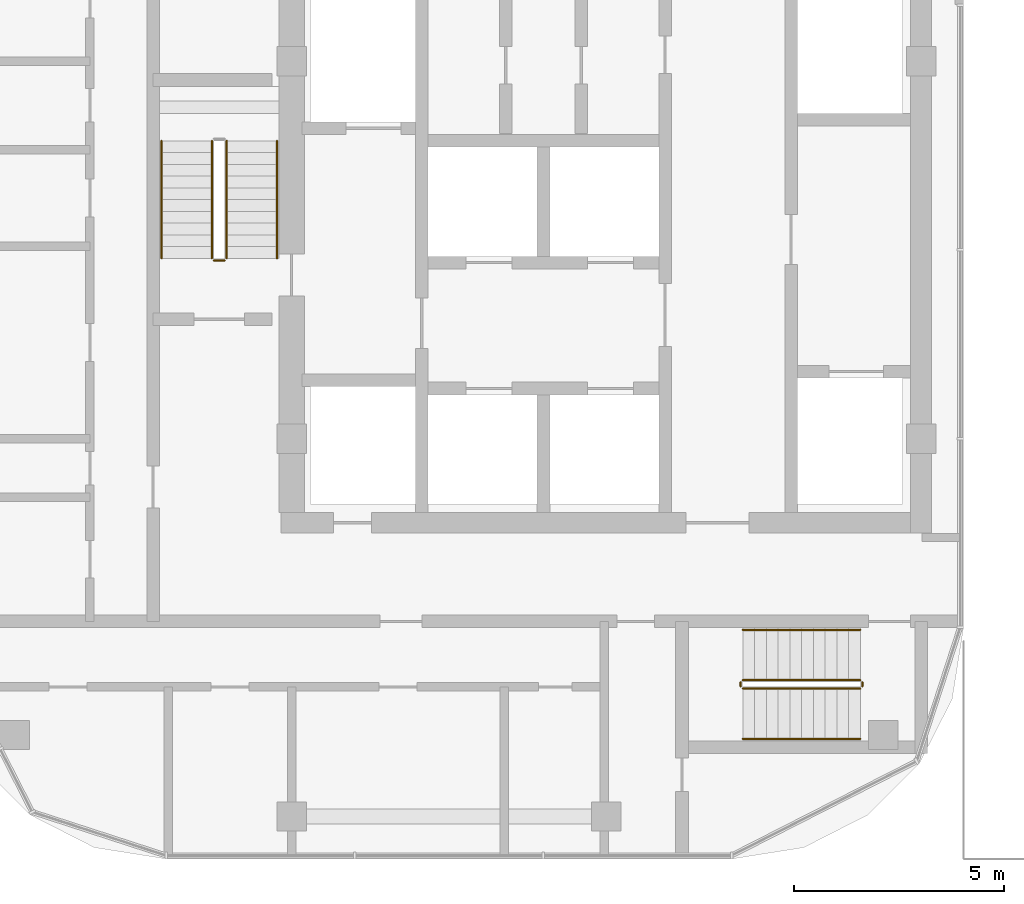
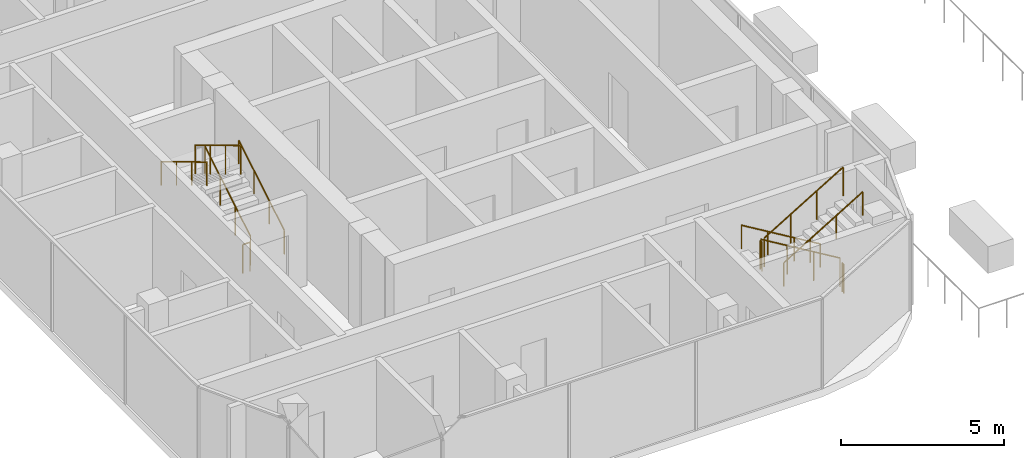
# One storey, part 34 of 35: 11 railings.
"""IFC4 building model written with IfcOpenShell, lengths in metres."""

import ifcopenshell
import ifcopenshell.guid

model = None  # the IFC model being written
_history = None  # IfcOwnerHistory: only IFC2X3 demands one
_inside = {}  # id of a spatial element -> (the spatial element, [elements in it])
_under = {}  # id of a project, library or spatial element -> (it, [spatial elements below it])
_declared = {}  # id of a project -> (the project, [libraries it declares])
_typed = {}  # id of a type object -> (the type object, [elements of that type])
_made_of = {}  # id of a material, layer set ... -> (it, [elements and type objects made of it])


def new_model(schema):
    """Start an empty IFC model of exactly this schema.

    Asked for "IFC4X3", IfcOpenShell would pick the latest addendum, in which some entities
    have other attributes; the version numbers below select the first issue.
    IFC2X3 requires an IfcOwnerHistory on every rooted entity: one is made here for all.
    """
    global model, _history
    if schema == "IFC4X3":
        model = ifcopenshell.file(schema_version=(4, 3, 0, 0))
    else:
        model = ifcopenshell.file(schema=schema)
    _inside.clear()
    _under.clear()
    _declared.clear()
    _typed.clear()
    _made_of.clear()
    _history = None
    if model.schema == "IFC2X3":
        org = make("IfcOrganization", Name="unknown")
        user = make(
            "IfcPersonAndOrganization",
            ThePerson=make("IfcPerson", FamilyName="unknown"),
            TheOrganization=org,
        )
        app = make(
            "IfcApplication",
            ApplicationDeveloper=org,
            Version="unknown",
            ApplicationFullName="unknown",
            ApplicationIdentifier="unknown",
        )
        _history = make(
            "IfcOwnerHistory",
            OwningUser=user,
            OwningApplication=app,
            ChangeAction="ADDED",
            CreationDate=0,
        )
    return model


def make(cls, **values):
    """One entity of the class cls with the attributes given. An attribute that is None is left unset."""
    return model.create_entity(
        cls, **{name: value for name, value in values.items() if value is not None}
    )


def rooted(cls, **values):
    """An entity with a GlobalId (a new one), such as an element, a storey or a relation."""
    return make(cls, GlobalId=ifcopenshell.guid.new(), OwnerHistory=_history, **values)


def si_unit(unit_type, name, prefix=None):
    """IfcSIUnit, for example si_unit("LENGTHUNIT", "METRE", prefix="MILLI")."""
    return make("IfcSIUnit", UnitType=unit_type, Prefix=prefix, Name=name)


def assignment(units):
    """IfcUnitAssignment: the units of a project."""
    return None if units is None else make("IfcUnitAssignment", Units=units)


def point(xyz):
    """IfcCartesianPoint."""
    return None if xyz is None else make("IfcCartesianPoint", Coordinates=xyz)


def direction(xyz):
    """IfcDirection."""
    return None if xyz is None else make("IfcDirection", DirectionRatios=xyz)


def frame(location, z_axis=None, x_axis=None):
    """IfcAxis2Placement3D, a coordinate frame: its origin and axes. An axis left out is left unset."""
    return make(
        "IfcAxis2Placement3D",
        Location=point(location),
        Axis=direction(z_axis),
        RefDirection=direction(x_axis),
    )


def frame_2d(location, x_axis=None):
    """IfcAxis2Placement2D, a coordinate frame in the plane: its origin and x axis."""
    return make(
        "IfcAxis2Placement2D", Location=point(location), RefDirection=direction(x_axis)
    )


def origin():
    """The frame at (0, 0, 0) with its axes left unset."""
    return frame((0.0, 0.0, 0.0))


def origin_2d():
    """The frame at (0, 0) in the plane with its x axis left unset."""
    return frame_2d((0.0, 0.0))


def place(relative_to, where):
    """IfcLocalPlacement: puts the frame where relative to a parent placement (None: the world)."""
    return make(
        "IfcLocalPlacement", PlacementRelTo=relative_to, RelativePlacement=where
    )


def context(
    kind, dimensions, precision=None, world=None, true_north=None, identifier=None
):
    """IfcGeometricRepresentationContext, for example the 3D "Model" context."""
    return make(
        "IfcGeometricRepresentationContext",
        ContextIdentifier=identifier,
        ContextType=kind,
        CoordinateSpaceDimension=dimensions,
        Precision=precision,
        WorldCoordinateSystem=world,
        TrueNorth=true_north,
    )


def subcontext(parent, identifier, kind, view, scale=None):
    """IfcGeometricRepresentationSubContext, for example "Body" below "Model"."""
    return make(
        "IfcGeometricRepresentationSubContext",
        ContextIdentifier=identifier,
        ContextType=kind,
        ParentContext=parent,
        TargetScale=scale,
        TargetView=view,
    )


def project(units=None, contexts=None):
    """IfcProject with its units and contexts."""
    return rooted(
        "IfcProject",
        Name="project",
        RepresentationContexts=contexts,
        UnitsInContext=assignment(units),
    )


def spatial(cls, under=None, at=None, **own):
    """A site, building, storey or space (cls), placed at a placement, below another one or the project."""
    s = rooted(cls, ObjectPlacement=at, **own)
    if under is not None:
        _under.setdefault(under.id(), (under, []))[1].append(s)
    return s


def profile(cls, at=None, kind="AREA", **sizes):
    """A parametric profile (cls). Its sizes go by their IFC names, for example OverallWidth=200.0."""
    return make(cls, ProfileType=kind, Position=at, **sizes)


def circle(**sizes):
    """IfcCircleProfileDef."""
    return profile("IfcCircleProfileDef", **sizes)


def extrude(swept, where, along, depth):
    """IfcExtrudedAreaSolid: the profile swept, set in the frame where, extruded along a direction by depth."""
    return make(
        "IfcExtrudedAreaSolid",
        SweptArea=swept,
        Position=where,
        ExtrudedDirection=direction(along),
        Depth=depth,
    )


def shape(context_of_items, identifier, shape_type, items):
    """IfcShapeRepresentation: the items that make up one representation, for example the "Body"."""
    return make(
        "IfcShapeRepresentation",
        ContextOfItems=context_of_items,
        RepresentationIdentifier=identifier,
        RepresentationType=shape_type,
        Items=items,
    )


def material(Name=None, Category=None):
    """IfcMaterial."""
    return make("IfcMaterial", Name=Name, Category=Category)


def made_of(thing, what):
    """Note that an element or type object is made of a material, layer set ...; save() writes the relation."""
    if what is not None:
        _made_of.setdefault(what.id(), (what, []))[1].append(thing)
    return thing


def type_object(cls, material=None, **own):
    """A type object (cls), such as IfcWallType, which elements share."""
    return made_of(rooted(cls, **own), material)


def element(
    cls,
    number,
    at=None,
    inside=None,
    cuts=None,
    type_object=None,
    material=None,
    context=None,
    identifier="Body",
    shape_type=None,
    held_by="IfcProductDefinitionShape",
    body=None,
    shapes=None,
    **own,
):
    """One element of the class cls, such as IfcWall. Its Tag is "e" and its number.

    at: its placement. inside: the storey or other place that contains it. cuts: it is an
    opening in that element (IfcRelVoidsElement). A single representation is given by context,
    identifier, shape_type and body (its items); several are given by shapes. held_by: the class
    of the entity that holds the representations. save() writes the other relations.
    """
    e = rooted(cls, Tag="e%d" % number, ObjectPlacement=at, **own)
    if body is not None:
        shapes = [shape(context, identifier, shape_type, body)]
    if shapes is not None:
        e.Representation = make(held_by, Representations=shapes)
    if inside is not None:
        _inside.setdefault(inside.id(), (inside, []))[1].append(e)
    if cuts is not None:
        rooted(
            "IfcRelVoidsElement", RelatingBuildingElement=cuts, RelatedOpeningElement=e
        )
    if type_object is not None:
        _typed.setdefault(type_object.id(), (type_object, []))[1].append(e)
    return made_of(e, material)


def aggregate(whole, parts):
    """IfcRelAggregates: a whole, such as a stair, and the parts it consists of."""
    return rooted("IfcRelAggregates", RelatingObject=whole, RelatedObjects=parts)


def save(model, path):
    """Write the relations noted so far, then the file.

    IfcRelAggregates (storeys below a building ...), IfcRelContainedInSpatialStructure (elements
    in a storey), IfcRelDefinesByType, IfcRelAssociatesMaterial and IfcRelDeclares: one each for
    every whole, place, type object, material and project.
    """
    for whole, parts in _under.values():
        aggregate(whole, parts)
    for where, things in _inside.values():
        rooted(
            "IfcRelContainedInSpatialStructure",
            RelatedElements=things,
            RelatingStructure=where,
        )
    for kind, things in _typed.values():
        rooted("IfcRelDefinesByType", RelatedObjects=things, RelatingType=kind)
    for what, things in _made_of.values():
        rooted("IfcRelAssociatesMaterial", RelatedObjects=things, RelatingMaterial=what)
    for by, libraries in _declared.values():
        rooted("IfcRelDeclares", RelatingContext=by, RelatedDefinitions=libraries)
    model.write(path)


model = new_model("IFC4")

# Units and contexts
model_context = context("Model", 3, precision=1e-05, world=origin(), true_north=direction((0.0, 1.0)))
body_context = subcontext(model_context, "Body", "Model", "MODEL_VIEW")
ifc_project = project(units=[si_unit("LENGTHUNIT", "METRE"), si_unit("AREAUNIT", "SQUARE_METRE"), si_unit("VOLUMEUNIT", "CUBIC_METRE"), si_unit("PLANEANGLEUNIT", "RADIAN"), si_unit("MASSUNIT", "GRAM", prefix="KILO")], contexts=[model_context])

# Site, building, storey
site_placement = place(None, origin())
site = spatial("IfcSite", under=ifc_project, at=site_placement, CompositionType="ELEMENT")
building_placement = place(site_placement, origin())
building = spatial("IfcBuilding", under=site, at=building_placement, Name="Ogive Portal Towers", CompositionType="ELEMENT")
storey_placement = place(building_placement, frame((0.0, 0.0, 94.5)))
storey = spatial("IfcBuildingStorey", under=building, at=storey_placement, Name="L22", CompositionType="ELEMENT", Elevation=94.5)

# Railings
ifc_material_1 = material(Name="Stainless steel balustrade", Category="steel")
railing_type_1 = type_object("IfcRailingType", Name="INT-GUARD", PredefinedType="GUARDRAIL", material=ifc_material_1)
railing_1_placement = place(storey_placement, frame((127.449951171875, 30.800048828125, 0.168212890625)))
element("IfcRailing", 1, at=railing_1_placement, inside=storey, type_object=railing_type_1, Name="L22 ST-B1 stair guard 1", PredefinedType="GUARDRAIL", context=body_context, shape_type="SweptSolid", body=[
    extrude(circle(Radius=0.02392578125, at=origin_2d()), frame((0.0, 0.0, 1.076171875), z_axis=(0.0, 0.857242210791, 0.514913383045), x_axis=(-1.0, 0.0, 0.0)), (0.0, 0.0, 1.0), 3.266357421875),
    extrude(circle(Radius=0.02099609375, at=origin_2d()), origin(), (0.0, 0.0, 1.0), 1.052001953125),
    extrude(circle(Radius=0.02099609375, at=origin_2d()), frame((0.0, 0.933349609375, 0.560546875)), (0.0, 0.0, 1.0), 1.052001953125),
    extrude(circle(Radius=0.02099609375, at=origin_2d()), frame((0.0, 1.86669921875, 1.121337890625)), (0.0, 0.0, 1.0), 1.052001953125),
    extrude(circle(Radius=0.02099609375, at=origin_2d()), frame((0.0, 2.800048828125, 1.681884765625)), (0.0, 0.0, 1.0), 1.052001953125),
])
railing_2_placement = place(storey_placement, frame((127.10009765625, 33.60009765625, 2.01806640625)))
element("IfcRailing", 2, at=railing_2_placement, inside=storey, type_object=railing_type_1, Name="L22 ST-B1 stair guard 3", PredefinedType="GUARDRAIL", context=body_context, shape_type="SweptSolid", body=[
    extrude(circle(Radius=0.02392578125, at=origin_2d()), frame((0.0, 0.0, 1.076171875), z_axis=(0.0, -0.857242210791, 0.514913383045), x_axis=(1.0, 0.0, 0.0)), (0.0, 0.0, 1.0), 3.266357421875),
    extrude(circle(Radius=0.02099609375, at=origin_2d()), origin(), (0.0, 0.0, 1.0), 1.052001953125),
    extrude(circle(Radius=0.02099609375, at=origin_2d()), frame((0.0, -0.933349609375, 0.560546875)), (0.0, 0.0, 1.0), 1.052001953125),
    extrude(circle(Radius=0.02099609375, at=origin_2d()), frame((0.0, -1.86669921875, 1.121337890625)), (0.0, 0.0, 1.0), 1.052001953125),
    extrude(circle(Radius=0.02099609375, at=origin_2d()), frame((0.0, -2.800048828125, 1.681884765625)), (0.0, 0.0, 1.0), 1.052001953125),
])
railing_3_placement = place(storey_placement, frame((127.39990234375, 30.75, 0.0)))
element("IfcRailing", 3, at=railing_3_placement, inside=storey, type_object=railing_type_1, Name="L22 ST-B1 stair guard 4", PredefinedType="GUARDRAIL", context=body_context, shape_type="SweptSolid", body=[
    extrude(circle(Radius=0.02392578125, at=origin_2d()), frame((0.0, 0.0, 1.076171875), z_axis=(-1.0, 0.0, 0.0), x_axis=(0.0, -1.0, 0.0)), (0.0, 0.0, 1.0), 0.25),
    extrude(circle(Radius=0.02099609375, at=origin_2d()), origin(), (0.0, 0.0, 1.0), 1.052001953125),
    extrude(circle(Radius=0.02099609375, at=origin_2d()), frame((-0.25, 0.0, 0.0)), (0.0, 0.0, 1.0), 1.052001953125),
])
railing_4_placement = place(storey_placement, frame((142.550048828125, 20.75, 0.168212890625)))
element("IfcRailing", 4, at=railing_4_placement, inside=storey, type_object=railing_type_1, Name="L22 ST-B2 stair guard 1", PredefinedType="GUARDRAIL", context=body_context, shape_type="SweptSolid", body=[
    extrude(circle(Radius=0.02392578125, at=origin_2d()), frame((0.0, 0.0, 1.076171875), z_axis=(-0.857242210791, 0.0, 0.514913383045), x_axis=(0.0, -1.0, 0.0)), (0.0, 0.0, 1.0), 3.266357421875),
    extrude(circle(Radius=0.02099609375, at=origin_2d()), origin(), (0.0, 0.0, 1.0), 1.052001953125),
    extrude(circle(Radius=0.02099609375, at=origin_2d()), frame((-0.933349609375, 0.0, 0.560546875)), (0.0, 0.0, 1.0), 1.052001953125),
    extrude(circle(Radius=0.02099609375, at=origin_2d()), frame((-1.86669921875, 0.0, 1.121337890625)), (0.0, 0.0, 1.0), 1.052001953125),
    extrude(circle(Radius=0.02099609375, at=origin_2d()), frame((-2.800048828125, 0.0, 1.681884765625)), (0.0, 0.0, 1.0), 1.052001953125),
])
railing_5_placement = place(storey_placement, frame((139.699951171875, 20.699951171875, 1.85009765625)))
element("IfcRailing", 5, at=railing_5_placement, inside=storey, type_object=railing_type_1, Name="L22 ST-B2 stair guard 2", PredefinedType="GUARDRAIL", context=body_context, shape_type="SweptSolid", body=[
    extrude(circle(Radius=0.02392578125, at=origin_2d()), frame((0.0, 0.0, 1.076171875), z_axis=(0.0, -1.0, 0.0), x_axis=(1.0, 0.0, 0.0)), (0.0, 0.0, 1.0), 0.099853515625),
    extrude(circle(Radius=0.02099609375, at=origin_2d()), origin(), (0.0, 0.0, 1.0), 1.052001953125),
    extrude(circle(Radius=0.02099609375, at=origin_2d()), frame((0.0, -0.099853515625, 0.0)), (0.0, 0.0, 1.0), 1.052001953125),
])
railing_6_placement = place(storey_placement, frame((139.75, 20.550048828125, 2.01806640625)))
element("IfcRailing", 6, at=railing_6_placement, inside=storey, type_object=railing_type_1, Name="L22 ST-B2 stair guard 3", PredefinedType="GUARDRAIL", context=body_context, shape_type="SweptSolid", body=[
    extrude(circle(Radius=0.02392578125, at=origin_2d()), frame((0.0, 0.0, 1.076171875), z_axis=(0.857242210791, 0.0, 0.514913383045), x_axis=(0.0, 1.0, 0.0)), (0.0, 0.0, 1.0), 3.266357421875),
    extrude(circle(Radius=0.02099609375, at=origin_2d()), origin(), (0.0, 0.0, 1.0), 1.052001953125),
    extrude(circle(Radius=0.02099609375, at=origin_2d()), frame((0.933349609375, 0.0, 0.560546875)), (0.0, 0.0, 1.0), 1.052001953125),
    extrude(circle(Radius=0.02099609375, at=origin_2d()), frame((1.86669921875, 0.0, 1.121337890625)), (0.0, 0.0, 1.0), 1.052001953125),
    extrude(circle(Radius=0.02099609375, at=origin_2d()), frame((2.800048828125, 0.0, 1.681884765625)), (0.0, 0.0, 1.0), 1.052001953125),
])
railing_7_placement = place(storey_placement, frame((142.60009765625, 20.699951171875, 0.0)))
element("IfcRailing", 7, at=railing_7_placement, inside=storey, type_object=railing_type_1, Name="L22 ST-B2 stair guard 4", PredefinedType="GUARDRAIL", context=body_context, shape_type="SweptSolid", body=[
    extrude(circle(Radius=0.02392578125, at=origin_2d()), frame((0.0, 0.0, 1.076171875), z_axis=(0.0, -1.0, 0.0), x_axis=(1.0, 0.0, 0.0)), (0.0, 0.0, 1.0), 0.099853515625),
    extrude(circle(Radius=0.02099609375, at=origin_2d()), origin(), (0.0, 0.0, 1.0), 1.052001953125),
    extrude(circle(Radius=0.02099609375, at=origin_2d()), frame((0.0, -0.099853515625, 0.0)), (0.0, 0.0, 1.0), 1.052001953125),
])
ifc_material_2 = material(Name="Stainless steel handrail", Category="steel")
railing_type_2 = type_object("IfcRailingType", Name="INT-HANDRAIL", PredefinedType="HANDRAIL", material=ifc_material_2)
railing_8_placement = place(storey_placement, frame((128.64990234375, 30.800048828125, 0.168212890625)))
element("IfcRailing", 8, at=railing_8_placement, inside=storey, type_object=railing_type_2, Name="L22 ST-B1 stair handrail 1", PredefinedType="HANDRAIL", context=body_context, shape_type="SweptSolid", body=[
    extrude(circle(Radius=0.02392578125, at=origin_2d()), frame((0.0, 0.0, 0.8759765625), z_axis=(0.0, 0.857242210791, 0.514913383045), x_axis=(-1.0, 0.0, 0.0)), (0.0, 0.0, 1.0), 3.266357421875),
    extrude(circle(Radius=0.02099609375, at=origin_2d()), origin(), (0.0, 0.0, 1.0), 0.851806640625),
    extrude(circle(Radius=0.02099609375, at=origin_2d()), frame((0.0, 0.933349609375, 0.560546875)), (0.0, 0.0, 1.0), 0.851806640625),
    extrude(circle(Radius=0.02099609375, at=origin_2d()), frame((0.0, 1.86669921875, 1.121337890625)), (0.0, 0.0, 1.0), 0.851806640625),
    extrude(circle(Radius=0.02099609375, at=origin_2d()), frame((0.0, 2.800048828125, 1.681884765625)), (0.0, 0.0, 1.0), 0.851806640625),
])
railing_9_placement = place(storey_placement, frame((125.89990234375, 33.60009765625, 2.01806640625)))
element("IfcRailing", 9, at=railing_9_placement, inside=storey, type_object=railing_type_2, Name="L22 ST-B1 stair handrail 2", PredefinedType="HANDRAIL", context=body_context, shape_type="SweptSolid", body=[
    extrude(circle(Radius=0.02392578125, at=origin_2d()), frame((0.0, 0.0, 0.8759765625), z_axis=(0.0, -0.857242210791, 0.514913383045), x_axis=(1.0, 0.0, 0.0)), (0.0, 0.0, 1.0), 3.266357421875),
    extrude(circle(Radius=0.02099609375, at=origin_2d()), origin(), (0.0, 0.0, 1.0), 0.851806640625),
    extrude(circle(Radius=0.02099609375, at=origin_2d()), frame((0.0, -0.933349609375, 0.560546875)), (0.0, 0.0, 1.0), 0.851806640625),
    extrude(circle(Radius=0.02099609375, at=origin_2d()), frame((0.0, -1.86669921875, 1.121337890625)), (0.0, 0.0, 1.0), 0.851806640625),
    extrude(circle(Radius=0.02099609375, at=origin_2d()), frame((0.0, -2.800048828125, 1.681884765625)), (0.0, 0.0, 1.0), 0.851806640625),
])
railing_10_placement = place(storey_placement, frame((142.550048828125, 21.949951171875, 0.168212890625)))
element("IfcRailing", 10, at=railing_10_placement, inside=storey, type_object=railing_type_2, Name="L22 ST-B2 stair handrail 1", PredefinedType="HANDRAIL", context=body_context, shape_type="SweptSolid", body=[
    extrude(circle(Radius=0.02392578125, at=origin_2d()), frame((0.0, 0.0, 0.8759765625), z_axis=(-0.857242210791, 0.0, 0.514913383045), x_axis=(0.0, -1.0, 0.0)), (0.0, 0.0, 1.0), 3.266357421875),
    extrude(circle(Radius=0.02099609375, at=origin_2d()), origin(), (0.0, 0.0, 1.0), 0.851806640625),
    extrude(circle(Radius=0.02099609375, at=origin_2d()), frame((-0.933349609375, 0.0, 0.560546875)), (0.0, 0.0, 1.0), 0.851806640625),
    extrude(circle(Radius=0.02099609375, at=origin_2d()), frame((-1.86669921875, 0.0, 1.121337890625)), (0.0, 0.0, 1.0), 0.851806640625),
    extrude(circle(Radius=0.02099609375, at=origin_2d()), frame((-2.800048828125, 0.0, 1.681884765625)), (0.0, 0.0, 1.0), 0.851806640625),
])
railing_11_placement = place(storey_placement, frame((139.75, 19.35009765625, 2.01806640625)))
element("IfcRailing", 11, at=railing_11_placement, inside=storey, type_object=railing_type_2, Name="L22 ST-B2 stair handrail 2", PredefinedType="HANDRAIL", context=body_context, shape_type="SweptSolid", body=[
    extrude(circle(Radius=0.02392578125, at=origin_2d()), frame((0.0, 0.0, 0.8759765625), z_axis=(0.857242210791, 0.0, 0.514913383045), x_axis=(0.0, 1.0, 0.0)), (0.0, 0.0, 1.0), 3.266357421875),
    extrude(circle(Radius=0.02099609375, at=origin_2d()), origin(), (0.0, 0.0, 1.0), 0.851806640625),
    extrude(circle(Radius=0.02099609375, at=origin_2d()), frame((0.933349609375, 0.0, 0.560546875)), (0.0, 0.0, 1.0), 0.851806640625),
    extrude(circle(Radius=0.02099609375, at=origin_2d()), frame((1.86669921875, 0.0, 1.121337890625)), (0.0, 0.0, 1.0), 0.851806640625),
    extrude(circle(Radius=0.02099609375, at=origin_2d()), frame((2.800048828125, 0.0, 1.681884765625)), (0.0, 0.0, 1.0), 0.851806640625),
])

save(model, "model.ifc")
